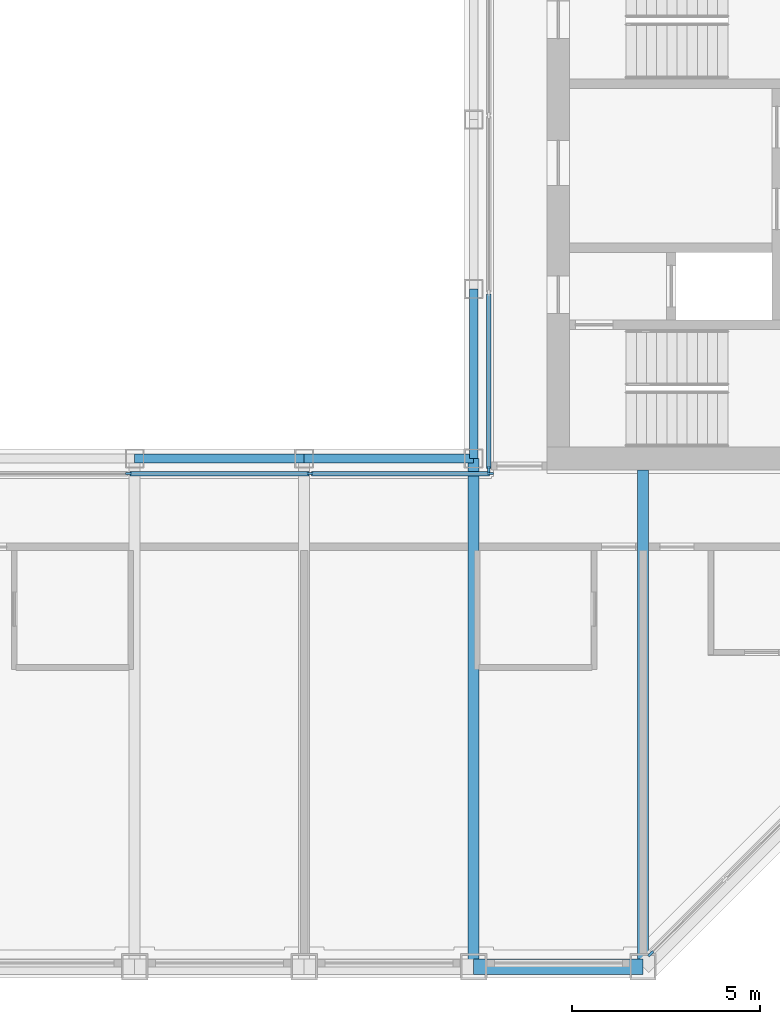
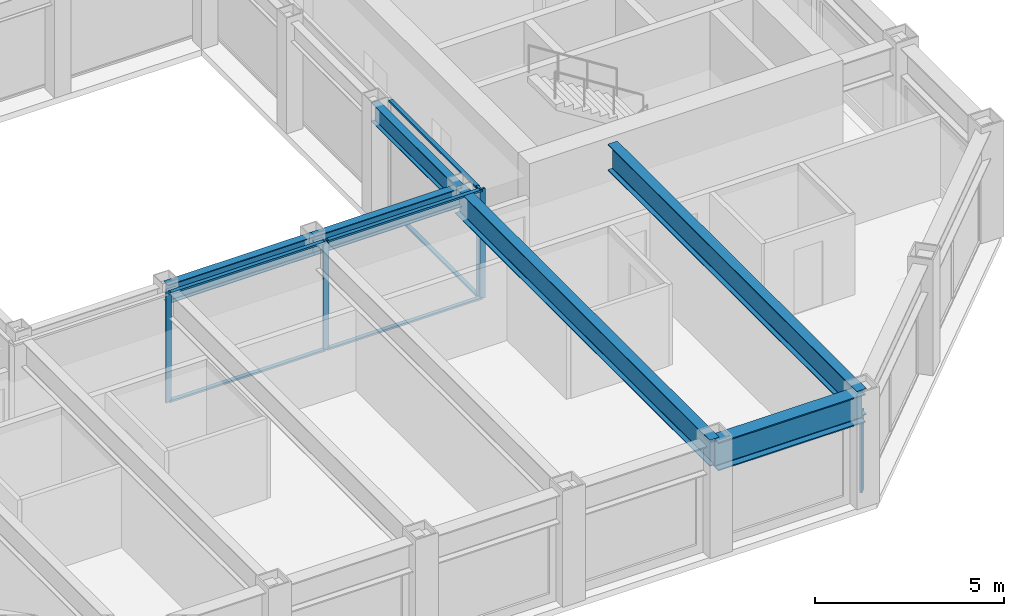
# One storey, part 3 of 16: 11 members, 6 beams, 3 elements without a shape of their own.
"""IFC4 building model written with IfcOpenShell, lengths in metres."""

from ifc_helpers import new_model, si_unit, direction, frame, origin, origin_2d, place, context, subcontext, project, spatial, rectangle, i_section, extrude, material, material_profile, profile_set, type_object, element, aggregate, save


model = new_model("IFC4")

# Units and contexts
model_context = context("Model", 3, precision=1e-05, world=origin(), true_north=direction((0.0, 1.0)))
body_context = subcontext(model_context, "Body", "Model", "MODEL_VIEW")
ifc_project = project(units=[si_unit("LENGTHUNIT", "METRE"), si_unit("AREAUNIT", "SQUARE_METRE"), si_unit("VOLUMEUNIT", "CUBIC_METRE"), si_unit("PLANEANGLEUNIT", "RADIAN"), si_unit("MASSUNIT", "GRAM", prefix="KILO")], contexts=[model_context])

# Site, building, storey
site_placement = place(None, origin())
site = spatial("IfcSite", under=ifc_project, at=site_placement, CompositionType="ELEMENT")
building_placement = place(site_placement, origin())
building = spatial("IfcBuilding", under=site, at=building_placement, Name="Msasa Ring Tower", CompositionType="ELEMENT")
storey_placement = place(building_placement, frame((0.0, 0.0, 219.550048828125)))
storey = spatial("IfcBuildingStorey", under=building, at=storey_placement, Name="L57", CompositionType="ELEMENT", Elevation=219.550048828125)

# Curtain wall, member
ifc_material_1 = material(Name="Aluminium curtain wall with clear glass", Category="aluminium")
curtain_wall_type_1 = type_object("IfcCurtainWallType", Name="CW-C CHAMFER CORNER CURTAIN WALL", PredefinedType="NOTDEFINED", material=ifc_material_1)
curtain_wall_1_placement = place(storey_placement, origin())
curtain_wall_1 = element("IfcCurtainWall", 1, at=curtain_wall_1_placement, inside=storey, type_object=curtain_wall_type_1, Name="Chamfer corner curtain wall SE L57", PredefinedType="NOTDEFINED")
ifc_material_2 = material(Name="Aluminium mullion", Category="aluminium")
ifc_material_profile_1 = material_profile(ifc_material_2, rectangle(XDim=0.06494140625, YDim=0.179931640625, at=origin_2d()), Name="AL 65x180")
ifc_profile_set_1 = profile_set([ifc_material_profile_1], Name="Aluminium mullion")
member_type_1 = type_object("IfcMemberType", Name="CW-C MULLION 65x180", PredefinedType="MULLION", material=ifc_profile_set_1)
member_1_placement = place(storey_placement, frame((11.453369140625, -19.9052734375, 0.0), z_axis=(0.0, 0.0, 1.0), x_axis=(-0.707106781187, 0.707106781187, 0.0)))
member_1 = element("IfcMember", 2, at=member_1_placement, type_object=member_type_1, Name="CW-C mullion 1", PredefinedType="MULLION", context=body_context, shape_type="SweptSolid", body=[
    extrude(rectangle(XDim=0.06494140625, YDim=0.179931640625, at=origin_2d()), origin(), (0.0, 0.0, 1.0), 2.62890625),
])
aggregate(curtain_wall_1, [member_1])

# Curtain wall, members
ifc_material_3 = material(Name="Aluminium curtain wall with clear glass", Category="aluminium")
curtain_wall_type_2 = type_object("IfcCurtainWallType", Name="CW-W LIGHT WELL CURTAIN WALL", PredefinedType="NOTDEFINED", material=ifc_material_3)
curtain_wall_2_placement = place(storey_placement, origin())
curtain_wall_2 = element("IfcCurtainWall", 3, at=curtain_wall_2_placement, inside=storey, type_object=curtain_wall_type_2, Name="Light well curtain wall S L57", PredefinedType="NOTDEFINED")
ifc_material_4 = material(Name="Aluminium mullion", Category="aluminium")
ifc_material_profile_2 = material_profile(ifc_material_4, rectangle(XDim=0.06005859375, YDim=0.159912109375, at=origin_2d()), Name="AL 60x160")
ifc_profile_set_2 = profile_set([ifc_material_profile_2], Name="Aluminium mullion")
member_type_2 = type_object("IfcMemberType", Name="CW-W MULLION 60x160", PredefinedType="MULLION", material=ifc_profile_set_2)
member_2_placement = place(storey_placement, frame((-2.409912109375, -7.14990234375, 0.0), z_axis=(0.0, 0.0, 1.0), x_axis=(0.0, 1.0, 0.0)))
member_2 = element("IfcMember", 4, at=member_2_placement, type_object=member_type_2, Name="CW-W mullion 2", PredefinedType="MULLION", context=body_context, shape_type="SweptSolid", body=[
    extrude(rectangle(XDim=0.06005859375, YDim=0.159912109375, at=origin_2d()), origin(), (0.0, 0.0, 1.0), 3.550048828125),
])
member_3_placement = place(storey_placement, frame((2.409912109375, -7.14990234375, 0.0), z_axis=(0.0, 0.0, 1.0), x_axis=(0.0, 1.0, 0.0)))
member_3 = element("IfcMember", 5, at=member_3_placement, type_object=member_type_2, Name="CW-W mullion 3", PredefinedType="MULLION", context=body_context, shape_type="SweptSolid", body=[
    extrude(rectangle(XDim=0.06005859375, YDim=0.159912109375, at=origin_2d()), origin(), (0.0, 0.0, 1.0), 3.550048828125),
])
member_4_placement = place(storey_placement, frame((7.199951171875, -7.14990234375, 0.0), z_axis=(0.0, 0.0, 1.0), x_axis=(0.0, 1.0, 0.0)))
member_4 = element("IfcMember", 6, at=member_4_placement, type_object=member_type_2, Name="CW-W mullion 4", PredefinedType="MULLION", context=body_context, shape_type="SweptSolid", body=[
    extrude(rectangle(XDim=0.06005859375, YDim=0.159912109375, at=origin_2d()), origin(), (0.0, 0.0, 1.0), 3.550048828125),
])

# Curtain wall, member
curtain_wall_3_placement = place(storey_placement, origin())
curtain_wall_3 = element("IfcCurtainWall", 7, at=curtain_wall_3_placement, inside=storey, type_object=curtain_wall_type_2, Name="Light well curtain wall E L57", PredefinedType="NOTDEFINED")
member_5_placement = place(storey_placement, frame((7.14990234375, -7.0400390625, 0.0), z_axis=(0.0, 0.0, 1.0), x_axis=(-1.0, 0.0, 0.0)))
member_5 = element("IfcMember", 8, at=member_5_placement, type_object=member_type_2, Name="CW-W mullion 1", PredefinedType="MULLION", context=body_context, shape_type="SweptSolid", body=[
    extrude(rectangle(XDim=0.06005859375, YDim=0.159912109375, at=origin_2d()), origin(), (0.0, 0.0, 1.0), 3.550048828125),
])

# Member
ifc_material_5 = material(Name="Aluminium transom", Category="aluminium")
ifc_material_profile_3 = material_profile(ifc_material_5, rectangle(XDim=0.1201171875, YDim=0.06005859375, at=origin_2d()), Name="AL 60x120")
ifc_profile_set_3 = profile_set([ifc_material_profile_3], Name="Aluminium transom")
member_type_3 = type_object("IfcMemberType", Name="CW-W TRANSOM 60x120", PredefinedType="USERDEFINED", material=ifc_profile_set_3)
member_6_placement = place(storey_placement, frame((-2.3798828125, -7.14990234375, 0.030029296875), z_axis=(1.0, 0.0, 0.0), x_axis=(0.0, 1.0, 0.0)))
member_6 = element("IfcMember", 9, at=member_6_placement, type_object=member_type_3, Name="CW-W transom 2.1", ObjectType="TRANSOM", PredefinedType="USERDEFINED", context=body_context, shape_type="SweptSolid", body=[
    extrude(rectangle(XDim=0.1201171875, YDim=0.06005859375, at=origin_2d()), origin(), (0.0, 0.0, 1.0), 4.759765625),
])

member_7_placement = place(storey_placement, frame((-2.3798828125, -7.14990234375, 3.52001953125), z_axis=(1.0, 0.0, 0.0), x_axis=(0.0, 1.0, 0.0)))
member_7 = element("IfcMember", 10, at=member_7_placement, type_object=member_type_3, Name="CW-W transom 2.2", ObjectType="TRANSOM", PredefinedType="USERDEFINED", context=body_context, shape_type="SweptSolid", body=[
    extrude(rectangle(XDim=0.1201171875, YDim=0.06005859375, at=origin_2d()), origin(), (0.0, 0.0, 1.0), 4.759765625),
])

member_8_placement = place(storey_placement, frame((2.43994140625, -7.14990234375, 0.030029296875), z_axis=(1.0, 0.0, 0.0), x_axis=(0.0, 1.0, 0.0)))
member_8 = element("IfcMember", 11, at=member_8_placement, type_object=member_type_3, Name="CW-W transom 3.1", ObjectType="TRANSOM", PredefinedType="USERDEFINED", context=body_context, shape_type="SweptSolid", body=[
    extrude(rectangle(XDim=0.1201171875, YDim=0.06005859375, at=origin_2d()), origin(), (0.0, 0.0, 1.0), 4.72998046875),
])

member_9_placement = place(storey_placement, frame((2.43994140625, -7.14990234375, 3.52001953125), z_axis=(1.0, 0.0, 0.0), x_axis=(0.0, 1.0, 0.0)))
member_9 = element("IfcMember", 12, at=member_9_placement, type_object=member_type_3, Name="CW-W transom 3.2", ObjectType="TRANSOM", PredefinedType="USERDEFINED", context=body_context, shape_type="SweptSolid", body=[
    extrude(rectangle(XDim=0.1201171875, YDim=0.06005859375, at=origin_2d()), origin(), (0.0, 0.0, 1.0), 4.72998046875),
])

aggregate(curtain_wall_2, [member_2, member_3, member_4, member_6, member_7, member_8, member_9])

member_10_placement = place(storey_placement, frame((7.14990234375, -7.010009765625, 0.030029296875), z_axis=(0.0, 1.0, 0.0), x_axis=(-1.0, 0.0, 0.0)))
member_10 = element("IfcMember", 13, at=member_10_placement, type_object=member_type_3, Name="CW-W transom 1.1", ObjectType="TRANSOM", PredefinedType="USERDEFINED", context=body_context, shape_type="SweptSolid", body=[
    extrude(rectangle(XDim=0.1201171875, YDim=0.06005859375, at=origin_2d()), origin(), (0.0, 0.0, 1.0), 4.623291015625),
])

member_11_placement = place(storey_placement, frame((7.14990234375, -7.010009765625, 3.52001953125), z_axis=(0.0, 1.0, 0.0), x_axis=(-1.0, 0.0, 0.0)))
member_11 = element("IfcMember", 14, at=member_11_placement, type_object=member_type_3, Name="CW-W transom 1.2", ObjectType="TRANSOM", PredefinedType="USERDEFINED", context=body_context, shape_type="SweptSolid", body=[
    extrude(rectangle(XDim=0.1201171875, YDim=0.06005859375, at=origin_2d()), origin(), (0.0, 0.0, 1.0), 4.623291015625),
])

aggregate(curtain_wall_3, [member_5, member_10, member_11])

# Beams
ifc_material_6 = material(Name="Steel S355", Category="steel")
ifc_material_profile_4 = material_profile(ifc_material_6, i_section(OverallWidth=0.293701171875, OverallDepth=0.850830078125, WebThickness=0.01611328125, FlangeThickness=0.02685546875, FilletRadius=0.017822265625, at=origin_2d()), Name="UB 838x292x226")
ifc_profile_set_4 = profile_set([ifc_material_profile_4], Name="Steel S355")
beam_type_1 = type_object("IfcBeamType", Name="FB5 UB 838x292x226", PredefinedType="BEAM", material=ifc_profile_set_4)
beam_1_placement = place(storey_placement, frame((6.75, -20.25, 3.12451171875), z_axis=(0.0, 1.0, 0.0), x_axis=(-1.0, 0.0, 0.0)))
element("IfcBeam", 15, at=beam_1_placement, inside=storey, type_object=beam_type_1, Name="Floor beam S+6.75 under L58", PredefinedType="BEAM", context=body_context, shape_type="SweptSolid", body=[
    extrude(i_section(OverallWidth=0.293701171875, OverallDepth=0.850830078125, WebThickness=0.01611328125, FlangeThickness=0.02685546875, FilletRadius=0.017822265625, at=origin_2d()), origin(), (0.0, 0.0, 1.0), 13.5),
])
beam_2_placement = place(storey_placement, frame((11.25, -20.25, 3.12451171875), z_axis=(0.0, 1.0, 0.0), x_axis=(-1.0, 0.0, 0.0)))
element("IfcBeam", 16, at=beam_2_placement, inside=storey, type_object=beam_type_1, Name="Floor beam S+11.25 under L58", PredefinedType="BEAM", context=body_context, shape_type="SweptSolid", body=[
    extrude(i_section(OverallWidth=0.293701171875, OverallDepth=0.850830078125, WebThickness=0.01611328125, FlangeThickness=0.02685546875, FilletRadius=0.017822265625, at=origin_2d()), origin(), (0.0, 0.0, 1.0), 13.199951171875),
])
ifc_material_7 = material(Name="Steel S355", Category="steel")
ifc_material_profile_5 = material_profile(ifc_material_7, i_section(OverallWidth=0.230224609375, OverallDepth=0.6171875, WebThickness=0.01318359375, FlangeThickness=0.022216796875, FilletRadius=0.0126953125, at=origin_2d()), Name="UB 610x229x140")
ifc_profile_set_5 = profile_set([ifc_material_profile_5], Name="Steel S355")
beam_type_2 = type_object("IfcBeamType", Name="RB1 UB 610x229x140", PredefinedType="BEAM", material=ifc_profile_set_5)
for number, where, z_axis, x_axis, name in (
    (17, (-2.25, -6.75, 3.241455078125), (1.0, 0.0, 0.0), (0.0, 1.0, 0.0), "Inner ring beam IR-2.25-6.75 under L58"),
    (18, (2.25, -6.75, 3.241455078125), (1.0, 0.0, 0.0), (0.0, 1.0, 0.0), "Inner ring beam IR+2.25-6.75 under L58"),
    (19, (6.75, -6.75, 3.241455078125), (0.0, 1.0, 0.0), (-1.0, 0.0, 0.0), "Inner ring beam IR+6.75-6.75 under L58"),
):
    element("IfcBeam", number, at=place(storey_placement, frame(where, z_axis=z_axis, x_axis=x_axis)), inside=storey, type_object=beam_type_2, Name=name, PredefinedType="BEAM", context=body_context, shape_type="SweptSolid", body=[
        extrude(i_section(OverallWidth=0.230224609375, OverallDepth=0.6171875, WebThickness=0.01318359375, FlangeThickness=0.022216796875, FilletRadius=0.0126953125, at=origin_2d()), origin(), (0.0, 0.0, 1.0), 4.5),
    ])
ifc_material_8 = material(Name="Steel S355", Category="steel")
ifc_material_profile_6 = material_profile(ifc_material_8, i_section(OverallWidth=0.42041015625, OverallDepth=0.9208984375, WebThickness=0.021484375, FlangeThickness=0.03662109375, FilletRadius=0.024169921875, at=origin_2d()), Name="UB 914x419x388")
ifc_profile_set_6 = profile_set([ifc_material_profile_6], Name="Steel S355")
beam_type_3 = type_object("IfcBeamType", Name="SB1 UB 914x419x388", PredefinedType="SPANDREL", material=ifc_profile_set_6)
beam_3_placement = place(storey_placement, frame((6.75, -20.25, 3.08935546875), z_axis=(1.0, 0.0, 0.0), x_axis=(0.0, 1.0, 0.0)))
element("IfcBeam", 20, at=beam_3_placement, inside=storey, type_object=beam_type_3, Name="Spandrel S+6.75 to S+11.25 under L58", PredefinedType="SPANDREL", context=body_context, shape_type="SweptSolid", body=[
    extrude(i_section(OverallWidth=0.42041015625, OverallDepth=0.9208984375, WebThickness=0.021484375, FlangeThickness=0.03662109375, FilletRadius=0.024169921875, at=origin_2d()), origin(), (0.0, 0.0, 1.0), 4.5),
])

save(model, "model.ifc")
